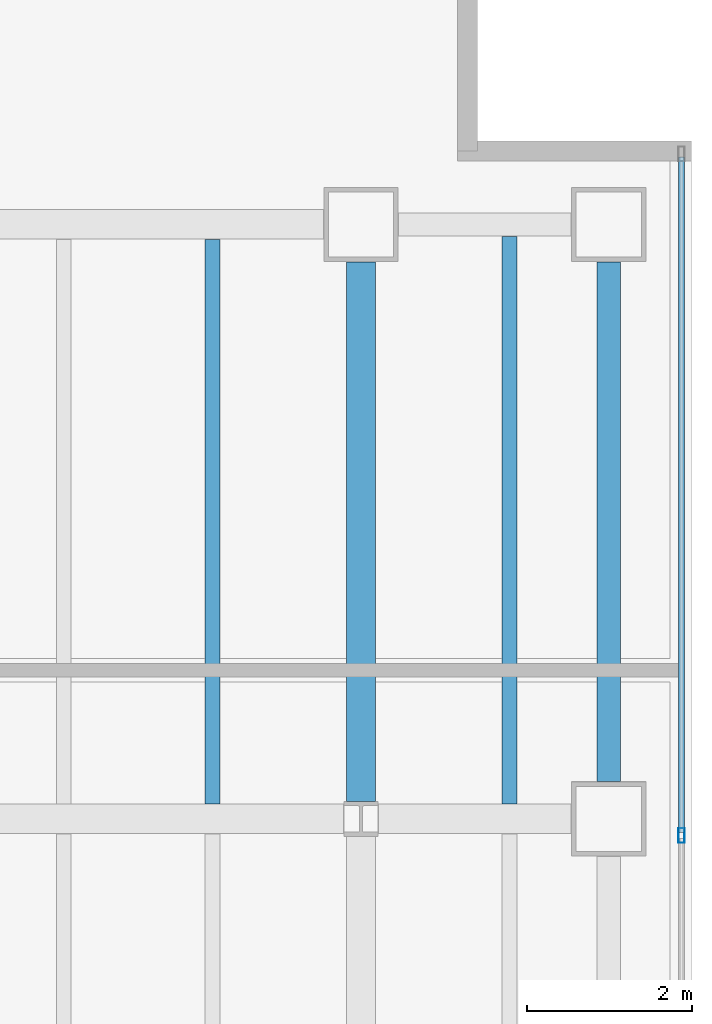
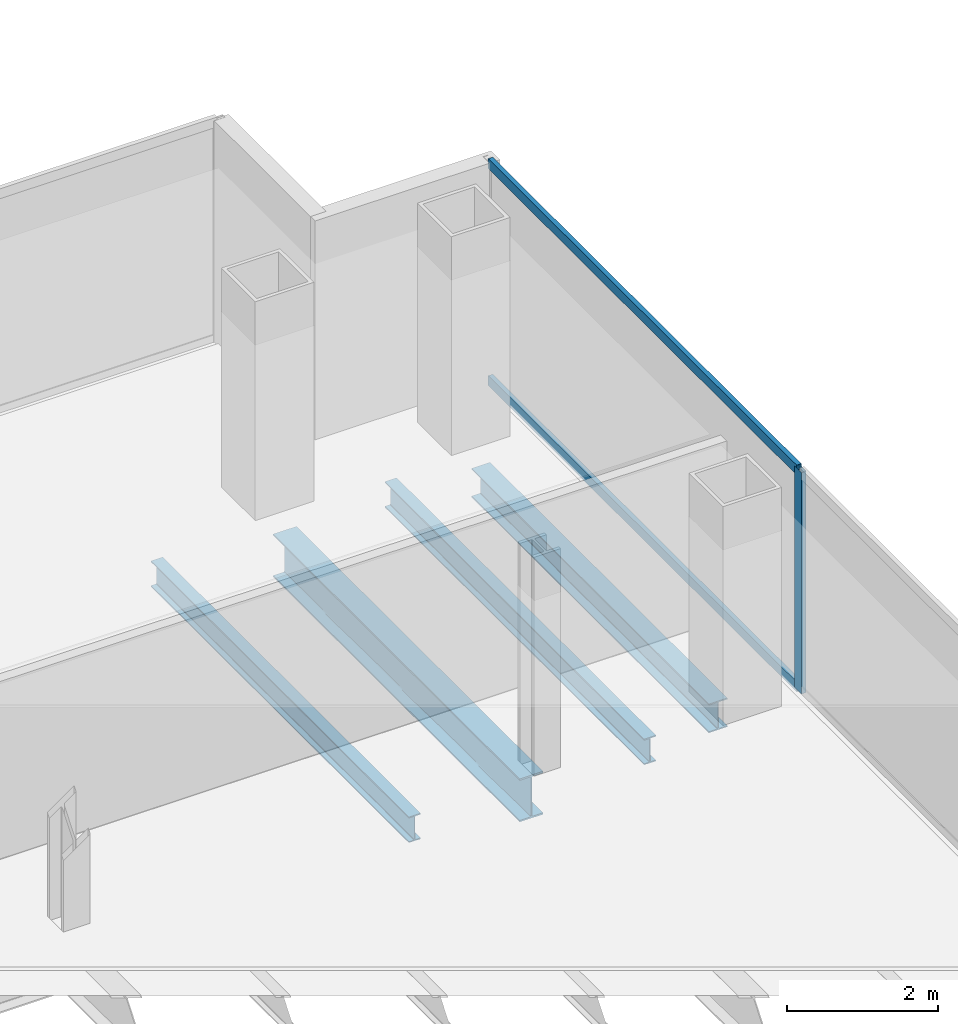
# One storey, part 13 of 23: 4 beams, 3 members, 1 element without a shape of its own.
"""IFC4 building model written with IfcOpenShell, lengths in metres."""

from ifc_helpers import new_model, si_unit, direction, frame, origin, origin_2d, place, context, subcontext, project, spatial, hollow_rectangle, i_section, extrude, material, material_profile, profile_set, type_object, element, aggregate, save


model = new_model("IFC4")

# Units and contexts
model_context = context("Model", 3, precision=1e-05, world=origin(), true_north=direction((0.0, 1.0)))
body_context = subcontext(model_context, "Body", "Model", "MODEL_VIEW")
ifc_project = project(units=[si_unit("LENGTHUNIT", "METRE"), si_unit("AREAUNIT", "SQUARE_METRE"), si_unit("VOLUMEUNIT", "CUBIC_METRE"), si_unit("PLANEANGLEUNIT", "RADIAN"), si_unit("MASSUNIT", "GRAM", prefix="KILO")], contexts=[model_context])

# Site, building, storey
site_placement = place(None, origin())
site = spatial("IfcSite", under=ifc_project, at=site_placement, CompositionType="ELEMENT")
building_placement = place(site_placement, origin())
building = spatial("IfcBuilding", under=site, at=building_placement, Name="Cobrela Telecom Tower", CompositionType="ELEMENT")
storey_placement = place(building_placement, frame((0.0, 0.0, 140.699951171875)))
storey = spatial("IfcBuildingStorey", under=building, at=storey_placement, Name="L35", CompositionType="ELEMENT", Elevation=140.699951171875)

# Beams
ifc_material_1 = material(Name="Steel ASTM A992 Grade 50", Category="steel")
ifc_material_profile_1 = material_profile(ifc_material_1, i_section(OverallWidth=0.35595703125, OverallDepth=0.696044921875, WebThickness=0.015380859375, FlangeThickness=0.024658203125, FilletRadius=0.01806640625, at=origin_2d()), Name="W27X146")
ifc_profile_set_1 = profile_set([ifc_material_profile_1], Name="Steel ASTM A992 Grade 50")
beam_type_1 = type_object("IfcBeamType", Name="BM-GIRD-05", PredefinedType="USERDEFINED", material=ifc_profile_set_1)
beam_1_placement = place(storey_placement, frame((43.199951171875, 14.609619140625, -0.617919921875), z_axis=(0.0, 1.0, 0.0), x_axis=(-1.0, 0.0, 0.0)))
element("IfcBeam", 1, at=beam_1_placement, inside=storey, type_object=beam_type_1, Name="L35 Primary Girder Y54", ObjectType="GIRDER", PredefinedType="USERDEFINED", context=body_context, shape_type="SweptSolid", body=[
    extrude(i_section(OverallWidth=0.35595703125, OverallDepth=0.696044921875, WebThickness=0.015380859375, FlangeThickness=0.024658203125, FilletRadius=0.01806640625, at=origin_2d()), origin(), (0.0, 0.0, 1.0), 6.535400390625),
])
ifc_material_profile_2 = material_profile(ifc_material_1, i_section(OverallWidth=0.179931640625, OverallDepth=0.4169921875, WebThickness=0.010986328125, FlangeThickness=0.01806640625, FilletRadius=0.011962890625, at=origin_2d()), Name="W16X57")
ifc_profile_set_2 = profile_set([ifc_material_profile_2], Name="Steel ASTM A992 Grade 50")
beam_type_2 = type_object("IfcBeamType", Name="BM-JOIST-04", PredefinedType="JOIST", material=ifc_profile_set_2)
beam_2_placement = place(storey_placement, frame((41.39990234375, 14.5830078125, -0.478515625), z_axis=(0.0, 1.0, 0.0), x_axis=(-1.0, 0.0, 0.0)))
element("IfcBeam", 2, at=beam_2_placement, inside=storey, type_object=beam_type_2, Name="L35 Secondary Composite Floor Beam J38", PredefinedType="JOIST", context=body_context, shape_type="SweptSolid", body=[
    extrude(i_section(OverallWidth=0.179931640625, OverallDepth=0.4169921875, WebThickness=0.010986328125, FlangeThickness=0.01806640625, FilletRadius=0.011962890625, at=origin_2d()), origin(), (0.0, 0.0, 1.0), 6.833984375),
])
beam_3_placement = place(storey_placement, frame((45.0, 14.5830078125, -0.478515625), z_axis=(0.0, 1.0, 0.0), x_axis=(-1.0, 0.0, 0.0)))
element("IfcBeam", 3, at=beam_3_placement, inside=storey, type_object=beam_type_2, Name="L35 Secondary Composite Floor Beam J40", PredefinedType="JOIST", context=body_context, shape_type="SweptSolid", body=[
    extrude(i_section(OverallWidth=0.179931640625, OverallDepth=0.4169921875, WebThickness=0.010986328125, FlangeThickness=0.01806640625, FilletRadius=0.011962890625, at=origin_2d()), origin(), (0.0, 0.0, 1.0), 6.87109375),
])
ifc_material_profile_3 = material_profile(ifc_material_1, i_section(OverallWidth=0.281982421875, OverallDepth=0.467041015625, WebThickness=0.01220703125, FlangeThickness=0.01953125, FilletRadius=0.012939453125, at=origin_2d()), Name="W18X86")
ifc_profile_set_3 = profile_set([ifc_material_profile_3], Name="Steel ASTM A992 Grade 50")
beam_type_3 = type_object("IfcBeamType", Name="BM-SPAND-04", PredefinedType="SPANDREL", material=ifc_profile_set_3)
beam_4_placement = place(storey_placement, frame((46.199951171875, 14.85498046875, -0.50341796875), z_axis=(0.0, 1.0, 0.0), x_axis=(-1.0, 0.0, 0.0)))
element("IfcBeam", 4, at=beam_4_placement, inside=storey, type_object=beam_type_3, Name="L35 Perimeter Spandrel Y56", PredefinedType="SPANDREL", context=body_context, shape_type="SweptSolid", body=[
    extrude(i_section(OverallWidth=0.281982421875, OverallDepth=0.467041015625, WebThickness=0.01220703125, FlangeThickness=0.01953125, FilletRadius=0.012939453125, at=origin_2d()), origin(), (0.0, 0.0, 1.0), 6.2900390625),
])

# Curtain wall, members
ifc_material_2 = material(Name="Anodized Bronze Aluminium 6063-T6", Category="aluminium")
curtain_wall_type = type_object("IfcCurtainWallType", Name="CW-SYS-TEL", PredefinedType="USERDEFINED", material=ifc_material_2)
curtain_wall_placement = place(storey_placement, origin())
curtain_wall = element("IfcCurtainWall", 5, at=curtain_wall_placement, inside=storey, type_object=curtain_wall_type, Name="L35 Unitised Bronze Curtain Wall 14", ObjectType="UNITISED CURTAIN WALL", PredefinedType="USERDEFINED")
ifc_material_profile_4 = material_profile(ifc_material_2, hollow_rectangle(XDim=0.074951171875, YDim=0.179931640625, WallThickness=0.00390625, at=origin_2d()), Name="ALU 75x180x4")
ifc_profile_set_4 = profile_set([ifc_material_profile_4], Name="Anodized Bronze Aluminium 6063-T6")
member_type_1 = type_object("IfcMemberType", Name="CW-SYS-TEL-MUL", PredefinedType="MULLION", material=ifc_profile_set_4)
member_1_placement = place(storey_placement, frame((47.080078125, 14.199951171875, 0.0), z_axis=(0.0, 0.0, 1.0), x_axis=(1.0, 0.0, 0.0)))
member_1 = element("IfcMember", 6, at=member_1_placement, type_object=member_type_1, Name="CW-TEL mullion 2", PredefinedType="MULLION", context=body_context, shape_type="SweptSolid", body=[
    extrude(hollow_rectangle(XDim=0.074951171875, YDim=0.179931640625, WallThickness=0.00390625, at=origin_2d()), origin(), (0.0, 0.0, 1.0), 3.580078125),
])
ifc_material_profile_5 = material_profile(ifc_material_2, hollow_rectangle(XDim=0.070068359375, YDim=0.159912109375, WallThickness=0.00390625, at=origin_2d()), Name="ALU 70x160x4")
ifc_profile_set_5 = profile_set([ifc_material_profile_5], Name="Anodized Bronze Aluminium 6063-T6")
member_type_2 = type_object("IfcMemberType", Name="CW-SYS-TEL-TRN", PredefinedType="USERDEFINED", material=ifc_profile_set_5)
member_2_placement = place(storey_placement, frame((47.080078125, 22.4150390625, 0.03515625), z_axis=(0.0, -1.0, 0.0), x_axis=(1.0, 0.0, 0.0)))
member_2 = element("IfcMember", 7, at=member_2_placement, type_object=member_type_2, Name="CW-TEL transom 1.1", ObjectType="TRANSOM", PredefinedType="USERDEFINED", context=body_context, shape_type="SweptSolid", body=[
    extrude(hollow_rectangle(XDim=0.070068359375, YDim=0.159912109375, WallThickness=0.00390625, at=origin_2d()), origin(), (0.0, 0.0, 1.0), 8.177490234375),
])
member_3_placement = place(storey_placement, frame((47.080078125, 22.4150390625, 3.545166015625), z_axis=(0.0, -1.0, 0.0), x_axis=(1.0, 0.0, 0.0)))
member_3 = element("IfcMember", 8, at=member_3_placement, type_object=member_type_2, Name="CW-TEL transom 1.2", ObjectType="TRANSOM", PredefinedType="USERDEFINED", context=body_context, shape_type="SweptSolid", body=[
    extrude(hollow_rectangle(XDim=0.070068359375, YDim=0.159912109375, WallThickness=0.00390625, at=origin_2d()), origin(), (0.0, 0.0, 1.0), 8.177490234375),
])
aggregate(curtain_wall, [member_1, member_2, member_3])

save(model, "model.ifc")
